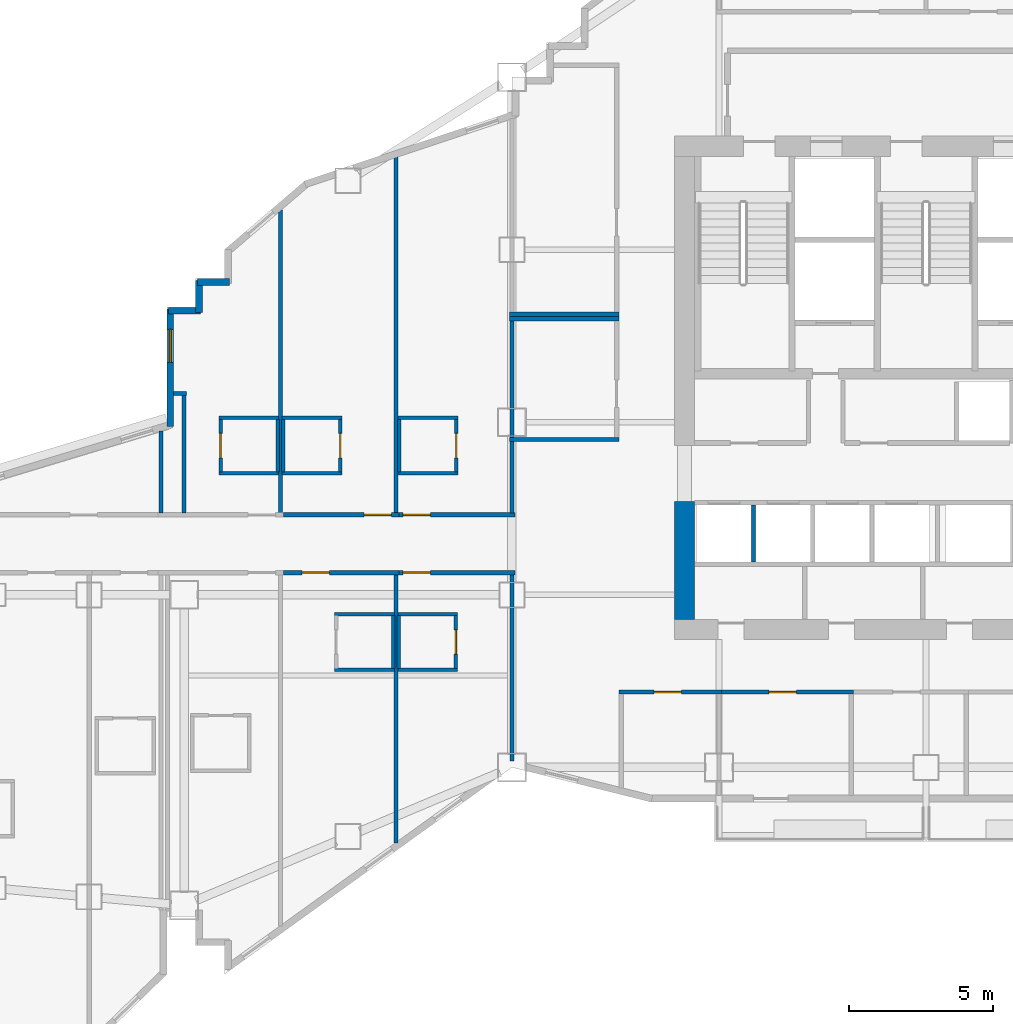
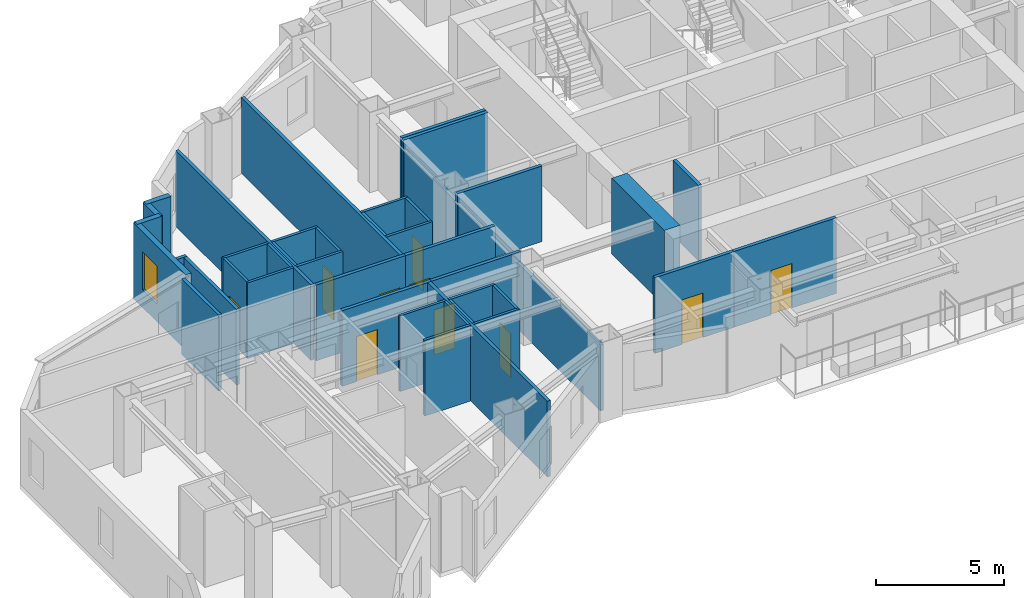
# One storey, part 7 of 14: 43 walls, 10 doors, 1 window, 11 openings.
"""IFC4 building model written with IfcOpenShell, lengths in metres."""

import ifcopenshell
import ifcopenshell.guid

model = None  # the IFC model being written
_history = None  # IfcOwnerHistory: only IFC2X3 demands one
_inside = {}  # id of a spatial element -> (the spatial element, [elements in it])
_under = {}  # id of a project, library or spatial element -> (it, [spatial elements below it])
_declared = {}  # id of a project -> (the project, [libraries it declares])
_typed = {}  # id of a type object -> (the type object, [elements of that type])
_made_of = {}  # id of a material, layer set ... -> (it, [elements and type objects made of it])


def new_model(schema):
    """Start an empty IFC model of exactly this schema.

    Asked for "IFC4X3", IfcOpenShell would pick the latest addendum, in which some entities
    have other attributes; the version numbers below select the first issue.
    IFC2X3 requires an IfcOwnerHistory on every rooted entity: one is made here for all.
    """
    global model, _history
    if schema == "IFC4X3":
        model = ifcopenshell.file(schema_version=(4, 3, 0, 0))
    else:
        model = ifcopenshell.file(schema=schema)
    _inside.clear()
    _under.clear()
    _declared.clear()
    _typed.clear()
    _made_of.clear()
    _history = None
    if model.schema == "IFC2X3":
        org = make("IfcOrganization", Name="unknown")
        user = make(
            "IfcPersonAndOrganization",
            ThePerson=make("IfcPerson", FamilyName="unknown"),
            TheOrganization=org,
        )
        app = make(
            "IfcApplication",
            ApplicationDeveloper=org,
            Version="unknown",
            ApplicationFullName="unknown",
            ApplicationIdentifier="unknown",
        )
        _history = make(
            "IfcOwnerHistory",
            OwningUser=user,
            OwningApplication=app,
            ChangeAction="ADDED",
            CreationDate=0,
        )
    return model


def make(cls, **values):
    """One entity of the class cls with the attributes given. An attribute that is None is left unset."""
    return model.create_entity(
        cls, **{name: value for name, value in values.items() if value is not None}
    )


def rooted(cls, **values):
    """An entity with a GlobalId (a new one), such as an element, a storey or a relation."""
    return make(cls, GlobalId=ifcopenshell.guid.new(), OwnerHistory=_history, **values)


def si_unit(unit_type, name, prefix=None):
    """IfcSIUnit, for example si_unit("LENGTHUNIT", "METRE", prefix="MILLI")."""
    return make("IfcSIUnit", UnitType=unit_type, Prefix=prefix, Name=name)


def assignment(units):
    """IfcUnitAssignment: the units of a project."""
    return None if units is None else make("IfcUnitAssignment", Units=units)


def point(xyz):
    """IfcCartesianPoint."""
    return None if xyz is None else make("IfcCartesianPoint", Coordinates=xyz)


def direction(xyz):
    """IfcDirection."""
    return None if xyz is None else make("IfcDirection", DirectionRatios=xyz)


def frame(location, z_axis=None, x_axis=None):
    """IfcAxis2Placement3D, a coordinate frame: its origin and axes. An axis left out is left unset."""
    return make(
        "IfcAxis2Placement3D",
        Location=point(location),
        Axis=direction(z_axis),
        RefDirection=direction(x_axis),
    )


def frame_2d(location, x_axis=None):
    """IfcAxis2Placement2D, a coordinate frame in the plane: its origin and x axis."""
    return make(
        "IfcAxis2Placement2D", Location=point(location), RefDirection=direction(x_axis)
    )


def origin():
    """The frame at (0, 0, 0) with its axes left unset."""
    return frame((0.0, 0.0, 0.0))


def place(relative_to, where):
    """IfcLocalPlacement: puts the frame where relative to a parent placement (None: the world)."""
    return make(
        "IfcLocalPlacement", PlacementRelTo=relative_to, RelativePlacement=where
    )


def context(
    kind, dimensions, precision=None, world=None, true_north=None, identifier=None
):
    """IfcGeometricRepresentationContext, for example the 3D "Model" context."""
    return make(
        "IfcGeometricRepresentationContext",
        ContextIdentifier=identifier,
        ContextType=kind,
        CoordinateSpaceDimension=dimensions,
        Precision=precision,
        WorldCoordinateSystem=world,
        TrueNorth=true_north,
    )


def subcontext(parent, identifier, kind, view, scale=None):
    """IfcGeometricRepresentationSubContext, for example "Body" below "Model"."""
    return make(
        "IfcGeometricRepresentationSubContext",
        ContextIdentifier=identifier,
        ContextType=kind,
        ParentContext=parent,
        TargetScale=scale,
        TargetView=view,
    )


def project(units=None, contexts=None):
    """IfcProject with its units and contexts."""
    return rooted(
        "IfcProject",
        Name="project",
        RepresentationContexts=contexts,
        UnitsInContext=assignment(units),
    )


def spatial(cls, under=None, at=None, **own):
    """A site, building, storey or space (cls), placed at a placement, below another one or the project."""
    s = rooted(cls, ObjectPlacement=at, **own)
    if under is not None:
        _under.setdefault(under.id(), (under, []))[1].append(s)
    return s


def profile(cls, at=None, kind="AREA", **sizes):
    """A parametric profile (cls). Its sizes go by their IFC names, for example OverallWidth=200.0."""
    return make(cls, ProfileType=kind, Position=at, **sizes)


def rectangle(**sizes):
    """IfcRectangleProfileDef."""
    return profile("IfcRectangleProfileDef", **sizes)


def extrude(swept, where, along, depth):
    """IfcExtrudedAreaSolid: the profile swept, set in the frame where, extruded along a direction by depth."""
    return make(
        "IfcExtrudedAreaSolid",
        SweptArea=swept,
        Position=where,
        ExtrudedDirection=direction(along),
        Depth=depth,
    )


def shape(context_of_items, identifier, shape_type, items):
    """IfcShapeRepresentation: the items that make up one representation, for example the "Body"."""
    return make(
        "IfcShapeRepresentation",
        ContextOfItems=context_of_items,
        RepresentationIdentifier=identifier,
        RepresentationType=shape_type,
        Items=items,
    )


def material(Name=None, Category=None):
    """IfcMaterial."""
    return make("IfcMaterial", Name=Name, Category=Category)


def layer(
    of_material, thickness, ventilated=None, Name=None, Category=None, Priority=None
):
    """IfcMaterialLayer: one layer of a wall or slab, of a material (None: an air gap)."""
    return make(
        "IfcMaterialLayer",
        Material=of_material,
        LayerThickness=thickness,
        IsVentilated=ventilated,
        Name=Name,
        Category=Category,
        Priority=Priority,
    )


def layer_set(layers, Name=None):
    """IfcMaterialLayerSet."""
    return make("IfcMaterialLayerSet", MaterialLayers=layers, LayerSetName=Name)


def made_of(thing, what):
    """Note that an element or type object is made of a material, layer set ...; save() writes the relation."""
    if what is not None:
        _made_of.setdefault(what.id(), (what, []))[1].append(thing)
    return thing


def type_object(cls, material=None, **own):
    """A type object (cls), such as IfcWallType, which elements share."""
    return made_of(rooted(cls, **own), material)


def element(
    cls,
    number,
    at=None,
    inside=None,
    cuts=None,
    type_object=None,
    material=None,
    context=None,
    identifier="Body",
    shape_type=None,
    held_by="IfcProductDefinitionShape",
    body=None,
    shapes=None,
    **own,
):
    """One element of the class cls, such as IfcWall. Its Tag is "e" and its number.

    at: its placement. inside: the storey or other place that contains it. cuts: it is an
    opening in that element (IfcRelVoidsElement). A single representation is given by context,
    identifier, shape_type and body (its items); several are given by shapes. held_by: the class
    of the entity that holds the representations. save() writes the other relations.
    """
    e = rooted(cls, Tag="e%d" % number, ObjectPlacement=at, **own)
    if body is not None:
        shapes = [shape(context, identifier, shape_type, body)]
    if shapes is not None:
        e.Representation = make(held_by, Representations=shapes)
    if inside is not None:
        _inside.setdefault(inside.id(), (inside, []))[1].append(e)
    if cuts is not None:
        rooted(
            "IfcRelVoidsElement", RelatingBuildingElement=cuts, RelatedOpeningElement=e
        )
    if type_object is not None:
        _typed.setdefault(type_object.id(), (type_object, []))[1].append(e)
    return made_of(e, material)


def fill(opening, filler):
    """IfcRelFillsElement: the door or window that sits in an opening."""
    return rooted(
        "IfcRelFillsElement",
        RelatingOpeningElement=opening,
        RelatedBuildingElement=filler,
    )


def aggregate(whole, parts):
    """IfcRelAggregates: a whole, such as a stair, and the parts it consists of."""
    return rooted("IfcRelAggregates", RelatingObject=whole, RelatedObjects=parts)


def save(model, path):
    """Write the relations noted so far, then the file.

    IfcRelAggregates (storeys below a building ...), IfcRelContainedInSpatialStructure (elements
    in a storey), IfcRelDefinesByType, IfcRelAssociatesMaterial and IfcRelDeclares: one each for
    every whole, place, type object, material and project.
    """
    for whole, parts in _under.values():
        aggregate(whole, parts)
    for where, things in _inside.values():
        rooted(
            "IfcRelContainedInSpatialStructure",
            RelatedElements=things,
            RelatingStructure=where,
        )
    for kind, things in _typed.values():
        rooted("IfcRelDefinesByType", RelatedObjects=things, RelatingType=kind)
    for what, things in _made_of.values():
        rooted("IfcRelAssociatesMaterial", RelatedObjects=things, RelatingMaterial=what)
    for by, libraries in _declared.values():
        rooted("IfcRelDeclares", RelatingContext=by, RelatedDefinitions=libraries)
    model.write(path)


model = new_model("IFC4")

# Units and contexts
model_context = context("Model", 3, precision=1e-05, world=origin(), true_north=direction((0.0, 1.0)))
body_context = subcontext(model_context, "Body", "Model", "MODEL_VIEW")
ifc_project = project(units=[si_unit("LENGTHUNIT", "METRE"), si_unit("AREAUNIT", "SQUARE_METRE"), si_unit("VOLUMEUNIT", "CUBIC_METRE"), si_unit("PLANEANGLEUNIT", "RADIAN"), si_unit("MASSUNIT", "GRAM", prefix="KILO")], contexts=[model_context])

# Site, building, storey
site_placement = place(None, origin())
site = spatial("IfcSite", under=ifc_project, at=site_placement, CompositionType="ELEMENT")
building_placement = place(site_placement, origin())
building = spatial("IfcBuilding", under=site, at=building_placement, Name="Haolan Belvedere Tower", CompositionType="ELEMENT")
storey_placement = place(building_placement, frame((0.0, 0.0, 121.199951171875)))
storey = spatial("IfcBuildingStorey", under=building, at=storey_placement, Name="L30", CompositionType="ELEMENT", Elevation=121.199951171875)

# Walls
ifc_material_1 = material(Name="Concrete C60/75", Category="concrete")
ifc_layer_1 = layer(ifc_material_1, 0.699951171875, Name="Concrete C60/75")
ifc_layer_set_1 = layer_set([ifc_layer_1], Name="Concrete C60/75")
wall_type_1 = type_object("IfcWallType", Name="WL-CORE-700", PredefinedType="SHEAR", material=ifc_layer_set_1)
wall_1_placement = place(storey_placement, frame((30.0, 26.75, 0.0), z_axis=(0.0, 0.0, 1.0), x_axis=(0.0, 1.0, 0.0)))
element("IfcWall", 1, at=wall_1_placement, inside=storey, type_object=wall_type_1, Name="L30 central core shear wall WS", PredefinedType="SHEAR", context=body_context, shape_type="SweptSolid", body=[
    extrude(rectangle(XDim=4.10009765625, YDim=0.699951171875, at=frame_2d((2.050048828125, 0.0))), origin(), (0.0, 0.0, 1.0), 3.60009765625),
])
ifc_material_2 = material(Name="Precast concrete C40/50", Category="concrete")
ifc_layer_2 = layer(ifc_material_2, 0.239990234375, Name="Precast concrete C40/50")
ifc_layer_set_2 = layer_set([ifc_layer_2], Name="Precast concrete C40/50")
wall_type_2 = type_object("IfcWallType", Name="WL-EXT-240", PredefinedType="SOLIDWALL", material=ifc_layer_set_2)
wall_2_placement = place(storey_placement, frame((14.175048828125, 38.47998046875, 0.0), z_axis=(0.0, 0.0, 1.0), x_axis=(-1.0, 0.0, 0.0)))
element("IfcWall", 2, at=wall_2_placement, inside=storey, type_object=wall_type_2, Name="L30 pale-metal exterior spandrel wall 38.1", PredefinedType="SOLIDWALL", context=body_context, shape_type="SweptSolid", body=[
    extrude(rectangle(XDim=1.110107421875, YDim=0.239990234375, at=frame_2d((0.55517578125, 0.0))), origin(), (0.0, 0.0, 1.0), 3.60009765625),
])
wall_3_placement = place(storey_placement, frame((13.1201171875, 38.534912109375, 0.0), z_axis=(0.0, 0.0, 1.0), x_axis=(0.0, -1.0, 0.0)))
element("IfcWall", 3, at=wall_3_placement, inside=storey, type_object=wall_type_2, Name="L30 pale-metal exterior spandrel wall 39.1", PredefinedType="SOLIDWALL", context=body_context, shape_type="SweptSolid", body=[
    extrude(rectangle(XDim=1.10986328125, YDim=0.239990234375, at=frame_2d((0.554931640625, 0.0))), origin(), (0.0, 0.0, 1.0), 3.60009765625),
])
wall_4_placement = place(storey_placement, frame((13.175048828125, 37.47998046875, 0.0), z_axis=(0.0, 0.0, 1.0), x_axis=(-1.0, 0.0, 0.0)))
element("IfcWall", 4, at=wall_4_placement, inside=storey, type_object=wall_type_2, Name="L30 pale-metal exterior spandrel wall 40.1", PredefinedType="SOLIDWALL", context=body_context, shape_type="SweptSolid", body=[
    extrude(rectangle(XDim=1.110107421875, YDim=0.239990234375, at=frame_2d((0.55517578125, 0.0))), origin(), (0.0, 0.0, 1.0), 3.60009765625),
])

# Wall, opening, window
wall_5_placement = place(storey_placement, frame((12.1201171875, 37.534912109375, 0.0), z_axis=(0.0, 0.0, 1.0), x_axis=(0.0, -1.0, 0.0)))
wall_5 = element("IfcWall", 5, at=wall_5_placement, inside=storey, type_object=wall_type_2, Name="L30 pale-metal exterior spandrel wall 41.1", PredefinedType="SOLIDWALL", context=body_context, shape_type="SweptSolid", body=[
    extrude(rectangle(XDim=4.0791015625, YDim=0.239990234375, at=frame_2d((2.03955078125, 0.0))), origin(), (0.0, 0.0, 1.0), 3.60009765625),
])
opening_1_placement = place(wall_5_placement, frame((0.699951171875, 0.0, 0.85009765625)))
opening_1 = element("IfcOpeningElement", 6, at=opening_1_placement, cuts=wall_5, Name="Opening W-02", PredefinedType="OPENING", context=body_context, shape_type="SweptSolid", body=[
    extrude(rectangle(XDim=1.14990234375, YDim=1.800048828125, at=frame_2d((0.574951171875, 0.89990234375))), frame((0.0, 0.1298828125, 0.0), z_axis=(0.0, -1.0, 0.0), x_axis=(1.0, 0.0, 0.0)), (0.0, 0.0, 1.0), 0.260009765625),
])
ifc_material_3 = material(Name="Anodised aluminium 6063-T6 and Low-E glass", Category="aluminium")
window_type = type_object("IfcWindowType", Name="WN-DECO-Z2", PartitioningType="SINGLE_PANEL", PredefinedType="WINDOW", material=ifc_material_3)
window_placement = place(opening_1_placement, origin())
window = element("IfcWindow", 7, at=window_placement, inside=storey, type_object=window_type, Name="L30 Art Deco chevron window 1", OverallHeight=1.800048828125, OverallWidth=1.14990234375, PartitioningType="SINGLE_PANEL", PredefinedType="WINDOW", context=body_context, shape_type="SweptSolid", body=[
    extrude(rectangle(XDim=1.14990234375, YDim=1.800048828125, at=frame_2d((0.574951171875, 0.89990234375))), frame((0.0, 0.030029296875, 0.0), z_axis=(0.0, -1.0, 0.0), x_axis=(1.0, 0.0, 0.0)), (0.0, 0.0, 1.0), 0.06005859375),
])
fill(opening_1, window)

# Walls
ifc_material_4 = material(Name="Double gypsum acoustic stud partition", Category="masonry")
ifc_layer_3 = layer(ifc_material_4, 0.14990234375, Name="Double gypsum acoustic stud partition")
ifc_layer_set_3 = layer_set([ifc_layer_3], Name="Double gypsum acoustic stud partition")
wall_type_3 = type_object("IfcWallType", Name="WL-PART-150", PredefinedType="PARTITIONING", material=ifc_layer_set_3)
for number, where, z_axis, x_axis, name in (
    (8, (23.919921875, 37.199951171875, 0.0), (0.0, 0.0, 1.0), (1.0, 0.0, 0.0), "L30 interior partition IW-L30-HSK-N"),
    (9, (23.919921875, 33.0, 0.0), (0.0, 0.0, 1.0), (1.0, 0.0, 0.0), "L30 interior partition IW-L30-HSK-S"),
):
    element("IfcWall", number, at=place(storey_placement, frame(where, z_axis=z_axis, x_axis=x_axis)), inside=storey, type_object=wall_type_3, Name=name, PredefinedType="PARTITIONING", context=body_context, shape_type="SweptSolid", body=[
        extrude(rectangle(XDim=3.800048828125, YDim=0.14990234375, at=frame_2d((1.89990234375, 0.0))), origin(), (0.0, 0.0, 1.0), 3.60009765625),
    ])
wall_6_placement = place(storey_placement, frame((24.0, 33.06005859375, 0.0), z_axis=(0.0, 0.0, 1.0), x_axis=(0.0, 1.0, 0.0)))
element("IfcWall", 10, at=wall_6_placement, inside=storey, type_object=wall_type_3, Name="L30 interior partition IW-L30-HSK-W", PredefinedType="PARTITIONING", context=body_context, shape_type="SweptSolid", body=[
    extrude(rectangle(XDim=4.079833984375, YDim=0.14990234375, at=frame_2d((2.0400390625, 0.0))), origin(), (0.0, 0.0, 1.0), 3.14501953125),
])
wall_7_placement = place(storey_placement, frame((23.919921875, 37.360107421875, 0.0), z_axis=(0.0, 0.0, 1.0), x_axis=(1.0, 0.0, 0.0)))
element("IfcWall", 11, at=wall_7_placement, inside=storey, type_object=wall_type_3, Name="L30 interior partition IW-L30-MTG-S", PredefinedType="PARTITIONING", context=body_context, shape_type="SweptSolid", body=[
    extrude(rectangle(XDim=3.800048828125, YDim=0.14990234375, at=frame_2d((1.89990234375, 0.0))), origin(), (0.0, 0.0, 1.0), 3.60009765625),
])

# Wall, opening, door
wall_8_placement = place(storey_placement, frame((27.719970703125, 24.219970703125, 0.0), z_axis=(0.0, 0.0, 1.0), x_axis=(1.0, 0.0, 0.0)))
wall_8 = element("IfcWall", 12, at=wall_8_placement, inside=storey, type_object=wall_type_3, Name="L30 interior partition IW-L30-KS2-N", PredefinedType="PARTITIONING", context=body_context, shape_type="SweptSolid", body=[
    extrude(rectangle(XDim=3.56005859375, YDim=0.14990234375, at=frame_2d((1.780029296875, 0.0))), origin(), (0.0, 0.0, 1.0), 3.60009765625),
])
opening_2_placement = place(wall_8_placement, frame((2.175048828125, 0.0, 0.0), z_axis=(0.0, 0.0, 1.0), x_axis=(-1.0, 0.0, 0.0)))
opening_2 = element("IfcOpeningElement", 13, at=opening_2_placement, cuts=wall_8, Name="Opening ID-03", PredefinedType="OPENING", context=body_context, shape_type="SweptSolid", body=[
    extrude(rectangle(XDim=0.949951171875, YDim=2.1201171875, at=frame_2d((0.47509765625, 1.06005859375))), frame((0.0, 0.0849609375, 0.0), z_axis=(0.0, -1.0, 0.0), x_axis=(1.0, 0.0, 0.0)), (0.0, 0.0, 1.0), 0.169921875),
])
ifc_material_5 = material(Name="Painted solid-core timber", Category="wood")
door_type_1 = type_object("IfcDoorType", Name="DR-INT-950", OperationType="NOTDEFINED", PredefinedType="DOOR", material=ifc_material_5)
door_1_placement = place(opening_2_placement, origin())
door_1 = element("IfcDoor", 14, at=door_1_placement, inside=storey, type_object=door_type_1, Name="L30 door ID-L30-KS2", OperationType="SINGLE_SWING_LEFT", OverallHeight=2.1201171875, OverallWidth=0.949951171875, PredefinedType="DOOR", context=body_context, shape_type="SweptSolid", body=[
    extrude(rectangle(XDim=0.949951171875, YDim=2.1201171875, at=frame_2d((0.47509765625, 1.06005859375))), frame((0.0, 0.02490234375, 0.0), z_axis=(0.0, -1.0, 0.0), x_axis=(1.0, 0.0, 0.0)), (0.0, 0.0, 1.0), 0.050048828125),
])
fill(opening_2, door_1)

wall_9_placement = place(storey_placement, frame((31.281982421875, 24.219970703125, 0.0), z_axis=(0.0, 0.0, 1.0), x_axis=(1.0, 0.0, 0.0)))
wall_9 = element("IfcWall", 15, at=wall_9_placement, inside=storey, type_object=wall_type_3, Name="L30 interior partition IW-L30-KS3-N", PredefinedType="PARTITIONING", context=body_context, shape_type="SweptSolid", body=[
    extrude(rectangle(XDim=4.597900390625, YDim=0.14990234375, at=frame_2d((2.298828125, 0.0))), origin(), (0.0, 0.0, 1.0), 3.60009765625),
])
opening_3_placement = place(wall_9_placement, frame((2.613037109375, 0.0, 0.0), z_axis=(0.0, 0.0, 1.0), x_axis=(-1.0, 0.0, 0.0)))
opening_3 = element("IfcOpeningElement", 16, at=opening_3_placement, cuts=wall_9, Name="Opening ID-03", PredefinedType="OPENING", context=body_context, shape_type="SweptSolid", body=[
    extrude(rectangle(XDim=0.949951171875, YDim=2.1201171875, at=frame_2d((0.47509765625, 1.06005859375))), frame((0.0, 0.0849609375, 0.0), z_axis=(0.0, -1.0, 0.0), x_axis=(1.0, 0.0, 0.0)), (0.0, 0.0, 1.0), 0.169921875),
])
door_2_placement = place(opening_3_placement, origin())
door_2 = element("IfcDoor", 17, at=door_2_placement, inside=storey, type_object=door_type_1, Name="L30 door ID-L30-KS3", OperationType="SINGLE_SWING_RIGHT", OverallHeight=2.1201171875, OverallWidth=0.949951171875, PredefinedType="DOOR", context=body_context, shape_type="SweptSolid", body=[
    extrude(rectangle(XDim=0.949951171875, YDim=2.1201171875, at=frame_2d((0.47509765625, 1.06005859375))), frame((0.0, 0.02490234375, 0.0), z_axis=(0.0, -1.0, 0.0), x_axis=(1.0, 0.0, 0.0)), (0.0, 0.0, 1.0), 0.050048828125),
])
fill(opening_3, door_2)

# Walls
wall_10_placement = place(storey_placement, frame((11.800048828125, 30.43994140625, 0.0), z_axis=(0.0, 0.0, 1.0), x_axis=(0.0, 1.0, 0.0)))
element("IfcWall", 18, at=wall_10_placement, inside=storey, type_object=wall_type_3, Name="L30 interior partition IW-L30-T2N1-W", PredefinedType="PARTITIONING", context=body_context, shape_type="SweptSolid", body=[
    extrude(rectangle(XDim=2.864501953125, YDim=0.14990234375, at=frame_2d((1.43212890625, 0.0))), origin(), (0.0, 0.0, 1.0), 3.60009765625),
])
wall_11_placement = place(storey_placement, frame((15.949951171875, 30.43994140625, 0.0), z_axis=(0.0, 0.0, 1.0), x_axis=(0.0, 1.0, 0.0)))
element("IfcWall", 19, at=wall_11_placement, inside=storey, type_object=wall_type_3, Name="L30 interior partition IW-L30-T2N1-E", PredefinedType="PARTITIONING", context=body_context, shape_type="SweptSolid", body=[
    extrude(rectangle(XDim=10.53515625, YDim=0.14990234375, at=frame_2d((5.267578125, 0.0))), origin(), (0.0, 0.0, 1.0), 3.60009765625),
])

# Wall, opening, door
wall_12_placement = place(storey_placement, frame((16.052001953125, 30.3798828125, 0.0), z_axis=(0.0, 0.0, 1.0), x_axis=(1.0, 0.0, 0.0)))
wall_12 = element("IfcWall", 20, at=wall_12_placement, inside=storey, type_object=wall_type_3, Name="L30 interior partition IW-L30-T2N2-S", PredefinedType="PARTITIONING", context=body_context, shape_type="SweptSolid", body=[
    extrude(rectangle(XDim=4.01806640625, YDim=0.14990234375, at=frame_2d((2.009033203125, 0.0))), origin(), (0.0, 0.0, 1.0), 3.60009765625),
])
opening_4_placement = place(wall_12_placement, frame((2.809814453125, 0.0, 0.0)))
opening_4 = element("IfcOpeningElement", 21, at=opening_4_placement, cuts=wall_12, Name="Opening ID-02", PredefinedType="OPENING", context=body_context, shape_type="SweptSolid", body=[
    extrude(rectangle(XDim=0.949951171875, YDim=2.14990234375, at=frame_2d((0.47509765625, 1.074951171875))), frame((0.0, 0.0849609375, 0.0), z_axis=(0.0, -1.0, 0.0), x_axis=(1.0, 0.0, 0.0)), (0.0, 0.0, 1.0), 0.169921875),
])
ifc_material_6 = material(Name="Acoustic oak veneer fire-rated timber", Category="wood")
door_type_2 = type_object("IfcDoorType", Name="DR-GUEST-950", OperationType="NOTDEFINED", PredefinedType="DOOR", material=ifc_material_6)
door_3_placement = place(opening_4_placement, origin())
door_3 = element("IfcDoor", 22, at=door_3_placement, inside=storey, type_object=door_type_2, Name="L30 door ID-L30-T2N2-ENT", OperationType="SINGLE_SWING_RIGHT", OverallHeight=2.14990234375, OverallWidth=0.949951171875, PredefinedType="DOOR", context=body_context, shape_type="SweptSolid", body=[
    extrude(rectangle(XDim=0.949951171875, YDim=2.14990234375, at=frame_2d((0.47509765625, 1.074951171875))), frame((0.0, 0.02490234375, 0.0), z_axis=(0.0, -1.0, 0.0), x_axis=(1.0, 0.0, 0.0)), (0.0, 0.0, 1.0), 0.050048828125),
])
fill(opening_4, door_3)

# Wall
wall_13_placement = place(storey_placement, frame((19.969970703125, 30.43994140625, 0.0), z_axis=(0.0, 0.0, 1.0), x_axis=(0.0, 1.0, 0.0)))
element("IfcWall", 23, at=wall_13_placement, inside=storey, type_object=wall_type_3, Name="L30 interior partition IW-L30-T2N2-E", PredefinedType="PARTITIONING", context=body_context, shape_type="SweptSolid", body=[
    extrude(rectangle(XDim=12.379638671875, YDim=0.14990234375, at=frame_2d((6.18994140625, 0.0))), origin(), (0.0, 0.0, 1.0), 3.60009765625),
])

# Wall, opening, door
wall_14_placement = place(storey_placement, frame((20.072021484375, 30.3798828125, 0.0), z_axis=(0.0, 0.0, 1.0), x_axis=(1.0, 0.0, 0.0)))
wall_14 = element("IfcWall", 24, at=wall_14_placement, inside=storey, type_object=wall_type_3, Name="L30 interior partition IW-L30-T2N3-S", PredefinedType="PARTITIONING", context=body_context, shape_type="SweptSolid", body=[
    extrude(rectangle(XDim=4.028076171875, YDim=0.14990234375, at=frame_2d((2.01416015625, 0.0))), origin(), (0.0, 0.0, 1.0), 3.60009765625),
])
opening_5_placement = place(wall_14_placement, frame((0.139892578125, 0.0, 0.0)))
opening_5 = element("IfcOpeningElement", 25, at=opening_5_placement, cuts=wall_14, Name="Opening ID-02", PredefinedType="OPENING", context=body_context, shape_type="SweptSolid", body=[
    extrude(rectangle(XDim=0.949951171875, YDim=2.14990234375, at=frame_2d((0.47509765625, 1.074951171875))), frame((0.0, 0.0849609375, 0.0), z_axis=(0.0, -1.0, 0.0), x_axis=(1.0, 0.0, 0.0)), (0.0, 0.0, 1.0), 0.169921875),
])
door_4_placement = place(opening_5_placement, origin())
door_4 = element("IfcDoor", 26, at=door_4_placement, inside=storey, type_object=door_type_2, Name="L30 door ID-L30-T2N3-ENT", OperationType="SINGLE_SWING_LEFT", OverallHeight=2.14990234375, OverallWidth=0.949951171875, PredefinedType="DOOR", context=body_context, shape_type="SweptSolid", body=[
    extrude(rectangle(XDim=0.949951171875, YDim=2.14990234375, at=frame_2d((0.47509765625, 1.074951171875))), frame((0.0, 0.02490234375, 0.0), z_axis=(0.0, -1.0, 0.0), x_axis=(1.0, 0.0, 0.0)), (0.0, 0.0, 1.0), 0.050048828125),
])
fill(opening_5, door_4)

# Wall
wall_15_placement = place(storey_placement, frame((24.0, 30.43994140625, 0.0), z_axis=(0.0, 0.0, 1.0), x_axis=(0.0, 1.0, 0.0)))
element("IfcWall", 27, at=wall_15_placement, inside=storey, type_object=wall_type_3, Name="L30 interior partition IW-L30-T2N3-E", PredefinedType="PARTITIONING", context=body_context, shape_type="SweptSolid", body=[
    extrude(rectangle(XDim=2.5, YDim=0.14990234375, at=frame_2d((1.25, 0.0))), origin(), (0.0, 0.0, 1.0), 3.14501953125),
])

# Wall, opening, door
wall_16_placement = place(storey_placement, frame((16.052001953125, 28.3701171875, 0.0), z_axis=(0.0, 0.0, 1.0), x_axis=(1.0, 0.0, 0.0)))
wall_16 = element("IfcWall", 28, at=wall_16_placement, inside=storey, type_object=wall_type_3, Name="L30 interior partition IW-L30-T2S2-N", PredefinedType="PARTITIONING", context=body_context, shape_type="SweptSolid", body=[
    extrude(rectangle(XDim=4.01806640625, YDim=0.14990234375, at=frame_2d((2.009033203125, 0.0))), origin(), (0.0, 0.0, 1.0), 3.60009765625),
])
opening_6_placement = place(wall_16_placement, frame((1.599365234375, 0.0, 0.0), z_axis=(0.0, 0.0, 1.0), x_axis=(-1.0, 0.0, 0.0)))
opening_6 = element("IfcOpeningElement", 29, at=opening_6_placement, cuts=wall_16, Name="Opening ID-02", PredefinedType="OPENING", context=body_context, shape_type="SweptSolid", body=[
    extrude(rectangle(XDim=0.949951171875, YDim=2.14990234375, at=frame_2d((0.47509765625, 1.074951171875))), frame((0.0, 0.0849609375, 0.0), z_axis=(0.0, -1.0, 0.0), x_axis=(1.0, 0.0, 0.0)), (0.0, 0.0, 1.0), 0.169921875),
])
door_5_placement = place(opening_6_placement, origin())
door_5 = element("IfcDoor", 30, at=door_5_placement, inside=storey, type_object=door_type_2, Name="L30 door ID-L30-T2S2-ENT", OperationType="SINGLE_SWING_LEFT", OverallHeight=2.14990234375, OverallWidth=0.949951171875, PredefinedType="DOOR", context=body_context, shape_type="SweptSolid", body=[
    extrude(rectangle(XDim=0.949951171875, YDim=2.14990234375, at=frame_2d((0.47509765625, 1.074951171875))), frame((0.0, 0.02490234375, 0.0), z_axis=(0.0, -1.0, 0.0), x_axis=(1.0, 0.0, 0.0)), (0.0, 0.0, 1.0), 0.050048828125),
])
fill(opening_6, door_5)

# Wall
wall_17_placement = place(storey_placement, frame((19.969970703125, 18.9755859375, 0.0), z_axis=(0.0, 0.0, 1.0), x_axis=(0.0, 1.0, 0.0)))
element("IfcWall", 31, at=wall_17_placement, inside=storey, type_object=wall_type_3, Name="L30 interior partition IW-L30-T2S2-E", PredefinedType="PARTITIONING", context=body_context, shape_type="SweptSolid", body=[
    extrude(rectangle(XDim=9.33447265625, YDim=0.14990234375, at=frame_2d((4.667236328125, 0.0))), origin(), (0.0, 0.0, 1.0), 3.60009765625),
])

# Wall, opening, door
wall_18_placement = place(storey_placement, frame((20.072021484375, 28.3701171875, 0.0), z_axis=(0.0, 0.0, 1.0), x_axis=(1.0, 0.0, 0.0)))
wall_18 = element("IfcWall", 32, at=wall_18_placement, inside=storey, type_object=wall_type_3, Name="L30 interior partition IW-L30-T2S3-N", PredefinedType="PARTITIONING", context=body_context, shape_type="SweptSolid", body=[
    extrude(rectangle(XDim=4.028076171875, YDim=0.14990234375, at=frame_2d((2.01416015625, 0.0))), origin(), (0.0, 0.0, 1.0), 3.60009765625),
])
opening_7_placement = place(wall_18_placement, frame((1.08984375, 0.0, 0.0), z_axis=(0.0, 0.0, 1.0), x_axis=(-1.0, 0.0, 0.0)))
opening_7 = element("IfcOpeningElement", 33, at=opening_7_placement, cuts=wall_18, Name="Opening ID-02", PredefinedType="OPENING", context=body_context, shape_type="SweptSolid", body=[
    extrude(rectangle(XDim=0.949951171875, YDim=2.14990234375, at=frame_2d((0.47509765625, 1.074951171875))), frame((0.0, 0.0849609375, 0.0), z_axis=(0.0, -1.0, 0.0), x_axis=(1.0, 0.0, 0.0)), (0.0, 0.0, 1.0), 0.169921875),
])
door_6_placement = place(opening_7_placement, origin())
door_6 = element("IfcDoor", 34, at=door_6_placement, inside=storey, type_object=door_type_2, Name="L30 door ID-L30-T2S3-ENT", OperationType="SINGLE_SWING_RIGHT", OverallHeight=2.14990234375, OverallWidth=0.949951171875, PredefinedType="DOOR", context=body_context, shape_type="SweptSolid", body=[
    extrude(rectangle(XDim=0.949951171875, YDim=2.14990234375, at=frame_2d((0.47509765625, 1.074951171875))), frame((0.0, 0.02490234375, 0.0), z_axis=(0.0, -1.0, 0.0), x_axis=(1.0, 0.0, 0.0)), (0.0, 0.0, 1.0), 0.050048828125),
])
fill(opening_7, door_6)

# Walls
wall_19_placement = place(storey_placement, frame((24.0, 21.818603515625, 0.0), z_axis=(0.0, 0.0, 1.0), x_axis=(0.0, 1.0, 0.0)))
element("IfcWall", 35, at=wall_19_placement, inside=storey, type_object=wall_type_3, Name="L30 interior partition IW-L30-T2S3-E", PredefinedType="PARTITIONING", context=body_context, shape_type="SweptSolid", body=[
    extrude(rectangle(XDim=6.491455078125, YDim=0.14990234375, at=frame_2d((3.24560546875, 0.0))), origin(), (0.0, 0.0, 1.0), 3.14501953125),
])
wall_20_placement = place(storey_placement, frame((12.22509765625, 34.60009765625, 0.0), z_axis=(0.0, 0.0, 1.0), x_axis=(1.0, 0.0, 0.0)))
element("IfcWall", 36, at=wall_20_placement, inside=storey, type_object=wall_type_3, Name="L30 interior partition IW-L30-T1N1-N", PredefinedType="PARTITIONING", context=body_context, shape_type="SweptSolid", body=[
    extrude(rectangle(XDim=0.454833984375, YDim=0.14990234375, at=frame_2d((0.2275390625, 0.0))), origin(), (0.0, 0.0, 1.0), 3.60009765625),
])
wall_21_placement = place(storey_placement, frame((12.60009765625, 30.43994140625, 0.0), z_axis=(0.0, 0.0, 1.0), x_axis=(0.0, 1.0, 0.0)))
element("IfcWall", 37, at=wall_21_placement, inside=storey, type_object=wall_type_3, Name="L30 interior partition IW-L30-T1N1-E", PredefinedType="PARTITIONING", context=body_context, shape_type="SweptSolid", body=[
    extrude(rectangle(XDim=4.10009765625, YDim=0.14990234375, at=frame_2d((2.050048828125, 0.0))), origin(), (0.0, 0.0, 1.0), 3.60009765625),
])
ifc_material_7 = material(Name="Gypsum fire shaftwall assembly", Category="masonry")
ifc_layer_4 = layer(ifc_material_7, 0.1650390625, Name="Gypsum fire shaftwall assembly")
ifc_layer_set_4 = layer_set([ifc_layer_4], Name="Gypsum fire shaftwall assembly")
wall_type_4 = type_object("IfcWallType", Name="WL-SHAFT-160", PredefinedType="SOLIDWALL", material=ifc_layer_set_4)
wall_22_placement = place(storey_placement, frame((32.39990234375, 28.735107421875, 0.0), z_axis=(0.0, 0.0, 1.0), x_axis=(0.0, 1.0, 0.0)))
element("IfcWall", 38, at=wall_22_placement, inside=storey, type_object=wall_type_4, Name="L30 interior partition IW-L30-DIV-PM1", PredefinedType="SOLIDWALL", context=body_context, shape_type="SweptSolid", body=[
    extrude(rectangle(XDim=1.98486328125, YDim=0.14990234375, at=frame_2d((0.992431640625, 0.0))), origin(), (0.0, 0.0, 1.0), 3.60009765625),
])
ifc_material_8 = material(Name="Moisture-resistant gypsum tile partition", Category="masonry")
ifc_layer_5 = layer(ifc_material_8, 0.1201171875, Name="Moisture-resistant gypsum tile partition")
ifc_layer_set_5 = layer_set([ifc_layer_5], Name="Moisture-resistant gypsum tile partition")
wall_type_5 = type_object("IfcWallType", Name="WL-WET-120", PredefinedType="PARTITIONING", material=ifc_layer_set_5)
for number, where, z_axis, x_axis, name in (
    (39, (13.81005859375, 33.75, 0.0), (0.0, 0.0, 1.0), (1.0, 0.0, 0.0), "L30 interior partition IW-L30-T2N1-BN"),
    (40, (13.81005859375, 31.830078125, 0.0), (0.0, 0.0, 1.0), (1.0, 0.0, 0.0), "L30 interior partition IW-L30-T2N1-BS"),
):
    element("IfcWall", number, at=place(storey_placement, frame(where, z_axis=z_axis, x_axis=x_axis)), inside=storey, type_object=wall_type_5, Name=name, PredefinedType="PARTITIONING", context=body_context, shape_type="SweptSolid", body=[
        extrude(rectangle(XDim=2.079833984375, YDim=0.1201171875, at=frame_2d((1.0400390625, 0.0))), origin(), (0.0, 0.0, 1.0), 3.60009765625),
    ])

# Wall, opening, door
wall_23_placement = place(storey_placement, frame((13.8701171875, 31.875, 0.0), z_axis=(0.0, 0.0, 1.0), x_axis=(0.0, 1.0, 0.0)))
wall_23 = element("IfcWall", 41, at=wall_23_placement, inside=storey, type_object=wall_type_5, Name="L30 interior partition IW-L30-T2N1-BW", PredefinedType="PARTITIONING", context=body_context, shape_type="SweptSolid", body=[
    extrude(rectangle(XDim=1.830078125, YDim=0.1201171875, at=frame_2d((0.9150390625, 0.0))), origin(), (0.0, 0.0, 1.0), 3.60009765625),
])
opening_8_placement = place(wall_23_placement, frame((1.340087890625, 0.0, 0.0), z_axis=(0.0, 0.0, 1.0), x_axis=(-1.0, 0.0, 0.0)))
opening_8 = element("IfcOpeningElement", 42, at=opening_8_placement, cuts=wall_23, Name="Opening ID-05", PredefinedType="OPENING", context=body_context, shape_type="SweptSolid", body=[
    extrude(rectangle(XDim=0.85009765625, YDim=2.10009765625, at=frame_2d((0.425048828125, 1.050048828125))), frame((0.0, 0.070068359375, 0.0), z_axis=(0.0, -1.0, 0.0), x_axis=(1.0, 0.0, 0.0)), (0.0, 0.0, 1.0), 0.14013671875),
])
ifc_material_9 = material(Name="Moisture-resistant lacquered timber", Category="wood")
door_type_3 = type_object("IfcDoorType", Name="DR-BATH-850", OperationType="NOTDEFINED", PredefinedType="DOOR", material=ifc_material_9)
door_7_placement = place(opening_8_placement, origin())
door_7 = element("IfcDoor", 43, at=door_7_placement, inside=storey, type_object=door_type_3, Name="L30 door ID-L30-T2N1-BATH", OperationType="SINGLE_SWING_RIGHT", OverallHeight=2.10009765625, OverallWidth=0.85009765625, PredefinedType="DOOR", context=body_context, shape_type="SweptSolid", body=[
    extrude(rectangle(XDim=0.85009765625, YDim=2.10009765625, at=frame_2d((0.425048828125, 1.050048828125))), frame((0.0, 0.02490234375, 0.0), z_axis=(0.0, -1.0, 0.0), x_axis=(1.0, 0.0, 0.0)), (0.0, 0.0, 1.0), 0.050048828125),
])
fill(opening_8, door_7)

# Walls
wall_24_placement = place(storey_placement, frame((15.85009765625, 31.875, 0.0), z_axis=(0.0, 0.0, 1.0), x_axis=(0.0, 1.0, 0.0)))
element("IfcWall", 44, at=wall_24_placement, inside=storey, type_object=wall_type_5, Name="L30 interior partition IW-L30-T2N1-BE", PredefinedType="PARTITIONING", context=body_context, shape_type="SweptSolid", body=[
    extrude(rectangle(XDim=1.830078125, YDim=0.1201171875, at=frame_2d((0.9150390625, 0.0))), origin(), (0.0, 0.0, 1.0), 3.60009765625),
])
for number, where, z_axis, x_axis, name in (
    (45, (16.010009765625, 33.75, 0.0), (0.0, 0.0, 1.0), (1.0, 0.0, 0.0), "L30 interior partition IW-L30-T2N2-BN"),
    (46, (16.010009765625, 31.830078125, 0.0), (0.0, 0.0, 1.0), (1.0, 0.0, 0.0), "L30 interior partition IW-L30-T2N2-BS"),
):
    element("IfcWall", number, at=place(storey_placement, frame(where, z_axis=z_axis, x_axis=x_axis)), inside=storey, type_object=wall_type_5, Name=name, PredefinedType="PARTITIONING", context=body_context, shape_type="SweptSolid", body=[
        extrude(rectangle(XDim=2.080078125, YDim=0.1201171875, at=frame_2d((1.0400390625, 0.0))), origin(), (0.0, 0.0, 1.0), 3.60009765625),
    ])
wall_25_placement = place(storey_placement, frame((16.050048828125, 31.875, 0.0), z_axis=(0.0, 0.0, 1.0), x_axis=(0.0, 1.0, 0.0)))
element("IfcWall", 47, at=wall_25_placement, inside=storey, type_object=wall_type_5, Name="L30 interior partition IW-L30-T2N2-BW", PredefinedType="PARTITIONING", context=body_context, shape_type="SweptSolid", body=[
    extrude(rectangle(XDim=1.830078125, YDim=0.1201171875, at=frame_2d((0.9150390625, 0.0))), origin(), (0.0, 0.0, 1.0), 3.60009765625),
])

# Wall, opening, door
wall_26_placement = place(storey_placement, frame((18.030029296875, 31.875, 0.0), z_axis=(0.0, 0.0, 1.0), x_axis=(0.0, 1.0, 0.0)))
wall_26 = element("IfcWall", 48, at=wall_26_placement, inside=storey, type_object=wall_type_5, Name="L30 interior partition IW-L30-T2N2-BE", PredefinedType="PARTITIONING", context=body_context, shape_type="SweptSolid", body=[
    extrude(rectangle(XDim=1.830078125, YDim=0.1201171875, at=frame_2d((0.9150390625, 0.0))), origin(), (0.0, 0.0, 1.0), 3.60009765625),
])
opening_9_placement = place(wall_26_placement, frame((0.489990234375, 0.0, 0.0)))
opening_9 = element("IfcOpeningElement", 49, at=opening_9_placement, cuts=wall_26, Name="Opening ID-05", PredefinedType="OPENING", context=body_context, shape_type="SweptSolid", body=[
    extrude(rectangle(XDim=0.85009765625, YDim=2.10009765625, at=frame_2d((0.425048828125, 1.050048828125))), frame((0.0, 0.070068359375, 0.0), z_axis=(0.0, -1.0, 0.0), x_axis=(1.0, 0.0, 0.0)), (0.0, 0.0, 1.0), 0.14013671875),
])
door_8_placement = place(opening_9_placement, origin())
door_8 = element("IfcDoor", 50, at=door_8_placement, inside=storey, type_object=door_type_3, Name="L30 door ID-L30-T2N2-BATH", OperationType="SINGLE_SWING_LEFT", OverallHeight=2.10009765625, OverallWidth=0.85009765625, PredefinedType="DOOR", context=body_context, shape_type="SweptSolid", body=[
    extrude(rectangle(XDim=0.85009765625, YDim=2.10009765625, at=frame_2d((0.425048828125, 1.050048828125))), frame((0.0, 0.02490234375, 0.0), z_axis=(0.0, -1.0, 0.0), x_axis=(1.0, 0.0, 0.0)), (0.0, 0.0, 1.0), 0.050048828125),
])
fill(opening_9, door_8)

# Walls
for number, where, z_axis, x_axis, name in (
    (51, (20.030029296875, 33.75, 0.0), (0.0, 0.0, 1.0), (1.0, 0.0, 0.0), "L30 interior partition IW-L30-T2N3-BN"),
    (52, (20.030029296875, 31.830078125, 0.0), (0.0, 0.0, 1.0), (1.0, 0.0, 0.0), "L30 interior partition IW-L30-T2N3-BS"),
):
    element("IfcWall", number, at=place(storey_placement, frame(where, z_axis=z_axis, x_axis=x_axis)), inside=storey, type_object=wall_type_5, Name=name, PredefinedType="PARTITIONING", context=body_context, shape_type="SweptSolid", body=[
        extrude(rectangle(XDim=2.09423828125, YDim=0.1201171875, at=frame_2d((1.047119140625, 0.0))), origin(), (0.0, 0.0, 1.0), 3.60009765625),
    ])
wall_27_placement = place(storey_placement, frame((20.084228515625, 31.875, 0.0), z_axis=(0.0, 0.0, 1.0), x_axis=(0.0, 1.0, 0.0)))
element("IfcWall", 53, at=wall_27_placement, inside=storey, type_object=wall_type_5, Name="L30 interior partition IW-L30-T2N3-BW", PredefinedType="PARTITIONING", context=body_context, shape_type="SweptSolid", body=[
    extrude(rectangle(XDim=1.830078125, YDim=0.1201171875, at=frame_2d((0.9150390625, 0.0))), origin(), (0.0, 0.0, 1.0), 3.60009765625),
])

# Wall, opening, door
wall_28_placement = place(storey_placement, frame((22.064208984375, 31.875, 0.0), z_axis=(0.0, 0.0, 1.0), x_axis=(0.0, 1.0, 0.0)))
wall_28 = element("IfcWall", 54, at=wall_28_placement, inside=storey, type_object=wall_type_5, Name="L30 interior partition IW-L30-T2N3-BE", PredefinedType="PARTITIONING", context=body_context, shape_type="SweptSolid", body=[
    extrude(rectangle(XDim=1.830078125, YDim=0.1201171875, at=frame_2d((0.9150390625, 0.0))), origin(), (0.0, 0.0, 1.0), 3.60009765625),
])
opening_10_placement = place(wall_28_placement, frame((0.489990234375, 0.0, 0.0)))
opening_10 = element("IfcOpeningElement", 55, at=opening_10_placement, cuts=wall_28, Name="Opening ID-05", PredefinedType="OPENING", context=body_context, shape_type="SweptSolid", body=[
    extrude(rectangle(XDim=0.85009765625, YDim=2.10009765625, at=frame_2d((0.425048828125, 1.050048828125))), frame((0.0, 0.070068359375, 0.0), z_axis=(0.0, -1.0, 0.0), x_axis=(1.0, 0.0, 0.0)), (0.0, 0.0, 1.0), 0.14013671875),
])
door_9_placement = place(opening_10_placement, origin())
door_9 = element("IfcDoor", 56, at=door_9_placement, inside=storey, type_object=door_type_3, Name="L30 door ID-L30-T2N3-BATH", OperationType="SINGLE_SWING_RIGHT", OverallHeight=2.10009765625, OverallWidth=0.85009765625, PredefinedType="DOOR", context=body_context, shape_type="SweptSolid", body=[
    extrude(rectangle(XDim=0.85009765625, YDim=2.10009765625, at=frame_2d((0.425048828125, 1.050048828125))), frame((0.0, 0.02490234375, 0.0), z_axis=(0.0, -1.0, 0.0), x_axis=(1.0, 0.0, 0.0)), (0.0, 0.0, 1.0), 0.050048828125),
])
fill(opening_10, door_9)

# Walls
for number, where, z_axis, x_axis, name in (
    (57, (17.830078125, 26.919921875, 0.0), (0.0, 0.0, 1.0), (1.0, 0.0, 0.0), "L30 interior partition IW-L30-T2S2-BN"),
    (58, (17.830078125, 25.0, 0.0), (0.0, 0.0, 1.0), (1.0, 0.0, 0.0), "L30 interior partition IW-L30-T2S2-BS"),
):
    element("IfcWall", number, at=place(storey_placement, frame(where, z_axis=z_axis, x_axis=x_axis)), inside=storey, type_object=wall_type_5, Name=name, PredefinedType="PARTITIONING", context=body_context, shape_type="SweptSolid", body=[
        extrude(rectangle(XDim=2.079833984375, YDim=0.1201171875, at=frame_2d((1.0400390625, 0.0))), origin(), (0.0, 0.0, 1.0), 3.60009765625),
    ])
wall_29_placement = place(storey_placement, frame((19.8701171875, 25.044921875, 0.0), z_axis=(0.0, 0.0, 1.0), x_axis=(0.0, 1.0, 0.0)))
element("IfcWall", 59, at=wall_29_placement, inside=storey, type_object=wall_type_5, Name="L30 interior partition IW-L30-T2S2-BE", PredefinedType="PARTITIONING", context=body_context, shape_type="SweptSolid", body=[
    extrude(rectangle(XDim=1.830078125, YDim=0.1201171875, at=frame_2d((0.9150390625, 0.0))), origin(), (0.0, 0.0, 1.0), 3.60009765625),
])
for number, where, z_axis, x_axis, name in (
    (60, (20.030029296875, 26.919921875, 0.0), (0.0, 0.0, 1.0), (1.0, 0.0, 0.0), "L30 interior partition IW-L30-T2S3-BN"),
    (61, (20.030029296875, 25.0, 0.0), (0.0, 0.0, 1.0), (1.0, 0.0, 0.0), "L30 interior partition IW-L30-T2S3-BS"),
):
    element("IfcWall", number, at=place(storey_placement, frame(where, z_axis=z_axis, x_axis=x_axis)), inside=storey, type_object=wall_type_5, Name=name, PredefinedType="PARTITIONING", context=body_context, shape_type="SweptSolid", body=[
        extrude(rectangle(XDim=2.080078125, YDim=0.1201171875, at=frame_2d((1.0400390625, 0.0))), origin(), (0.0, 0.0, 1.0), 3.60009765625),
    ])
wall_30_placement = place(storey_placement, frame((20.070068359375, 25.044921875, 0.0), z_axis=(0.0, 0.0, 1.0), x_axis=(0.0, 1.0, 0.0)))
element("IfcWall", 62, at=wall_30_placement, inside=storey, type_object=wall_type_5, Name="L30 interior partition IW-L30-T2S3-BW", PredefinedType="PARTITIONING", context=body_context, shape_type="SweptSolid", body=[
    extrude(rectangle(XDim=1.830078125, YDim=0.1201171875, at=frame_2d((0.9150390625, 0.0))), origin(), (0.0, 0.0, 1.0), 3.60009765625),
])

# Wall, opening, door
wall_31_placement = place(storey_placement, frame((22.050048828125, 25.044921875, 0.0), z_axis=(0.0, 0.0, 1.0), x_axis=(0.0, 1.0, 0.0)))
wall_31 = element("IfcWall", 63, at=wall_31_placement, inside=storey, type_object=wall_type_5, Name="L30 interior partition IW-L30-T2S3-BE", PredefinedType="PARTITIONING", context=body_context, shape_type="SweptSolid", body=[
    extrude(rectangle(XDim=1.830078125, YDim=0.1201171875, at=frame_2d((0.9150390625, 0.0))), origin(), (0.0, 0.0, 1.0), 3.60009765625),
])
opening_11_placement = place(wall_31_placement, frame((0.489990234375, 0.0, 0.0)))
opening_11 = element("IfcOpeningElement", 64, at=opening_11_placement, cuts=wall_31, Name="Opening ID-05", PredefinedType="OPENING", context=body_context, shape_type="SweptSolid", body=[
    extrude(rectangle(XDim=0.85009765625, YDim=2.10009765625, at=frame_2d((0.425048828125, 1.050048828125))), frame((0.0, 0.070068359375, 0.0), z_axis=(0.0, -1.0, 0.0), x_axis=(1.0, 0.0, 0.0)), (0.0, 0.0, 1.0), 0.14013671875),
])
door_10_placement = place(opening_11_placement, origin())
door_10 = element("IfcDoor", 65, at=door_10_placement, inside=storey, type_object=door_type_3, Name="L30 door ID-L30-T2S3-BATH", OperationType="SINGLE_SWING_LEFT", OverallHeight=2.10009765625, OverallWidth=0.85009765625, PredefinedType="DOOR", context=body_context, shape_type="SweptSolid", body=[
    extrude(rectangle(XDim=0.85009765625, YDim=2.10009765625, at=frame_2d((0.425048828125, 1.050048828125))), frame((0.0, 0.02490234375, 0.0), z_axis=(0.0, -1.0, 0.0), x_axis=(1.0, 0.0, 0.0)), (0.0, 0.0, 1.0), 0.050048828125),
])
fill(opening_11, door_10)

save(model, "model.ifc")
